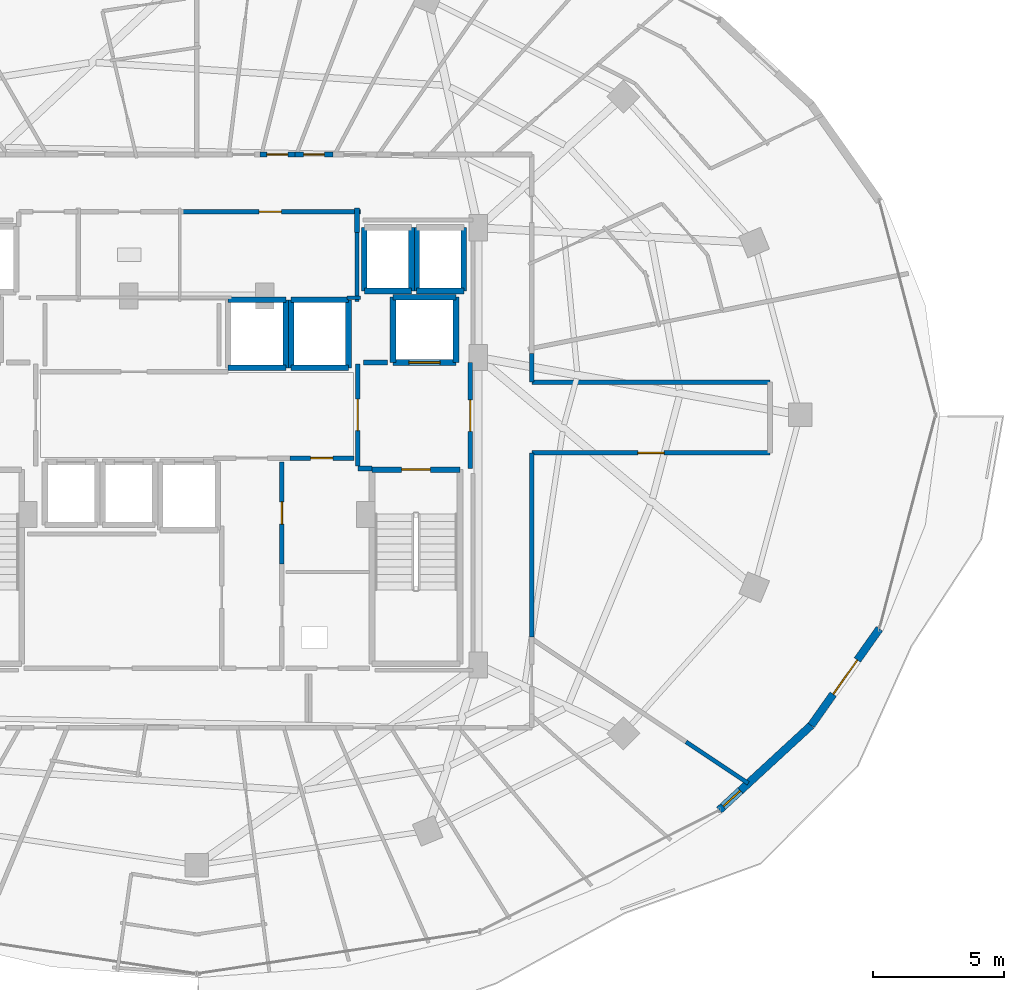
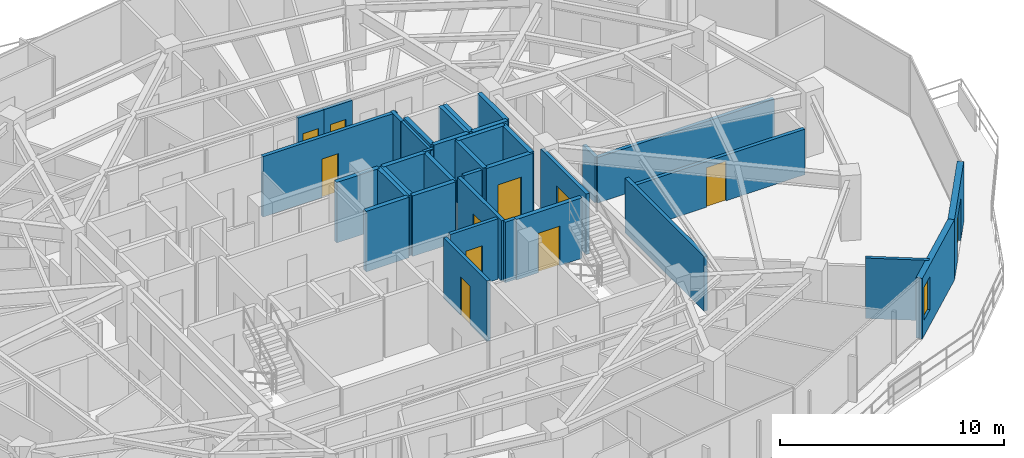
# One storey, part 28 of 34: 37 walls, 11 doors, 1 window, 12 openings.
"""IFC4 building model written with IfcOpenShell, lengths in metres."""

import ifcopenshell
import ifcopenshell.guid

model = None  # the IFC model being written
_history = None  # IfcOwnerHistory: only IFC2X3 demands one
_inside = {}  # id of a spatial element -> (the spatial element, [elements in it])
_under = {}  # id of a project, library or spatial element -> (it, [spatial elements below it])
_declared = {}  # id of a project -> (the project, [libraries it declares])
_typed = {}  # id of a type object -> (the type object, [elements of that type])
_made_of = {}  # id of a material, layer set ... -> (it, [elements and type objects made of it])


def new_model(schema):
    """Start an empty IFC model of exactly this schema.

    Asked for "IFC4X3", IfcOpenShell would pick the latest addendum, in which some entities
    have other attributes; the version numbers below select the first issue.
    IFC2X3 requires an IfcOwnerHistory on every rooted entity: one is made here for all.
    """
    global model, _history
    if schema == "IFC4X3":
        model = ifcopenshell.file(schema_version=(4, 3, 0, 0))
    else:
        model = ifcopenshell.file(schema=schema)
    _inside.clear()
    _under.clear()
    _declared.clear()
    _typed.clear()
    _made_of.clear()
    _history = None
    if model.schema == "IFC2X3":
        org = make("IfcOrganization", Name="unknown")
        user = make(
            "IfcPersonAndOrganization",
            ThePerson=make("IfcPerson", FamilyName="unknown"),
            TheOrganization=org,
        )
        app = make(
            "IfcApplication",
            ApplicationDeveloper=org,
            Version="unknown",
            ApplicationFullName="unknown",
            ApplicationIdentifier="unknown",
        )
        _history = make(
            "IfcOwnerHistory",
            OwningUser=user,
            OwningApplication=app,
            ChangeAction="ADDED",
            CreationDate=0,
        )
    return model


def make(cls, **values):
    """One entity of the class cls with the attributes given. An attribute that is None is left unset."""
    return model.create_entity(
        cls, **{name: value for name, value in values.items() if value is not None}
    )


def rooted(cls, **values):
    """An entity with a GlobalId (a new one), such as an element, a storey or a relation."""
    return make(cls, GlobalId=ifcopenshell.guid.new(), OwnerHistory=_history, **values)


def si_unit(unit_type, name, prefix=None):
    """IfcSIUnit, for example si_unit("LENGTHUNIT", "METRE", prefix="MILLI")."""
    return make("IfcSIUnit", UnitType=unit_type, Prefix=prefix, Name=name)


def assignment(units):
    """IfcUnitAssignment: the units of a project."""
    return None if units is None else make("IfcUnitAssignment", Units=units)


def point(xyz):
    """IfcCartesianPoint."""
    return None if xyz is None else make("IfcCartesianPoint", Coordinates=xyz)


def direction(xyz):
    """IfcDirection."""
    return None if xyz is None else make("IfcDirection", DirectionRatios=xyz)


def frame(location, z_axis=None, x_axis=None):
    """IfcAxis2Placement3D, a coordinate frame: its origin and axes. An axis left out is left unset."""
    return make(
        "IfcAxis2Placement3D",
        Location=point(location),
        Axis=direction(z_axis),
        RefDirection=direction(x_axis),
    )


def frame_2d(location, x_axis=None):
    """IfcAxis2Placement2D, a coordinate frame in the plane: its origin and x axis."""
    return make(
        "IfcAxis2Placement2D", Location=point(location), RefDirection=direction(x_axis)
    )


def origin():
    """The frame at (0, 0, 0) with its axes left unset."""
    return frame((0.0, 0.0, 0.0))


def place(relative_to, where):
    """IfcLocalPlacement: puts the frame where relative to a parent placement (None: the world)."""
    return make(
        "IfcLocalPlacement", PlacementRelTo=relative_to, RelativePlacement=where
    )


def context(
    kind, dimensions, precision=None, world=None, true_north=None, identifier=None
):
    """IfcGeometricRepresentationContext, for example the 3D "Model" context."""
    return make(
        "IfcGeometricRepresentationContext",
        ContextIdentifier=identifier,
        ContextType=kind,
        CoordinateSpaceDimension=dimensions,
        Precision=precision,
        WorldCoordinateSystem=world,
        TrueNorth=true_north,
    )


def subcontext(parent, identifier, kind, view, scale=None):
    """IfcGeometricRepresentationSubContext, for example "Body" below "Model"."""
    return make(
        "IfcGeometricRepresentationSubContext",
        ContextIdentifier=identifier,
        ContextType=kind,
        ParentContext=parent,
        TargetScale=scale,
        TargetView=view,
    )


def project(units=None, contexts=None):
    """IfcProject with its units and contexts."""
    return rooted(
        "IfcProject",
        Name="project",
        RepresentationContexts=contexts,
        UnitsInContext=assignment(units),
    )


def spatial(cls, under=None, at=None, **own):
    """A site, building, storey or space (cls), placed at a placement, below another one or the project."""
    s = rooted(cls, ObjectPlacement=at, **own)
    if under is not None:
        _under.setdefault(under.id(), (under, []))[1].append(s)
    return s


def profile(cls, at=None, kind="AREA", **sizes):
    """A parametric profile (cls). Its sizes go by their IFC names, for example OverallWidth=200.0."""
    return make(cls, ProfileType=kind, Position=at, **sizes)


def rectangle(**sizes):
    """IfcRectangleProfileDef."""
    return profile("IfcRectangleProfileDef", **sizes)


def extrude(swept, where, along, depth):
    """IfcExtrudedAreaSolid: the profile swept, set in the frame where, extruded along a direction by depth."""
    return make(
        "IfcExtrudedAreaSolid",
        SweptArea=swept,
        Position=where,
        ExtrudedDirection=direction(along),
        Depth=depth,
    )


def shape(context_of_items, identifier, shape_type, items):
    """IfcShapeRepresentation: the items that make up one representation, for example the "Body"."""
    return make(
        "IfcShapeRepresentation",
        ContextOfItems=context_of_items,
        RepresentationIdentifier=identifier,
        RepresentationType=shape_type,
        Items=items,
    )


def material(Name=None, Category=None):
    """IfcMaterial."""
    return make("IfcMaterial", Name=Name, Category=Category)


def layer(
    of_material, thickness, ventilated=None, Name=None, Category=None, Priority=None
):
    """IfcMaterialLayer: one layer of a wall or slab, of a material (None: an air gap)."""
    return make(
        "IfcMaterialLayer",
        Material=of_material,
        LayerThickness=thickness,
        IsVentilated=ventilated,
        Name=Name,
        Category=Category,
        Priority=Priority,
    )


def layer_set(layers, Name=None):
    """IfcMaterialLayerSet."""
    return make("IfcMaterialLayerSet", MaterialLayers=layers, LayerSetName=Name)


def made_of(thing, what):
    """Note that an element or type object is made of a material, layer set ...; save() writes the relation."""
    if what is not None:
        _made_of.setdefault(what.id(), (what, []))[1].append(thing)
    return thing


def type_object(cls, material=None, **own):
    """A type object (cls), such as IfcWallType, which elements share."""
    return made_of(rooted(cls, **own), material)


def element(
    cls,
    number,
    at=None,
    inside=None,
    cuts=None,
    type_object=None,
    material=None,
    context=None,
    identifier="Body",
    shape_type=None,
    held_by="IfcProductDefinitionShape",
    body=None,
    shapes=None,
    **own,
):
    """One element of the class cls, such as IfcWall. Its Tag is "e" and its number.

    at: its placement. inside: the storey or other place that contains it. cuts: it is an
    opening in that element (IfcRelVoidsElement). A single representation is given by context,
    identifier, shape_type and body (its items); several are given by shapes. held_by: the class
    of the entity that holds the representations. save() writes the other relations.
    """
    e = rooted(cls, Tag="e%d" % number, ObjectPlacement=at, **own)
    if body is not None:
        shapes = [shape(context, identifier, shape_type, body)]
    if shapes is not None:
        e.Representation = make(held_by, Representations=shapes)
    if inside is not None:
        _inside.setdefault(inside.id(), (inside, []))[1].append(e)
    if cuts is not None:
        rooted(
            "IfcRelVoidsElement", RelatingBuildingElement=cuts, RelatedOpeningElement=e
        )
    if type_object is not None:
        _typed.setdefault(type_object.id(), (type_object, []))[1].append(e)
    return made_of(e, material)


def fill(opening, filler):
    """IfcRelFillsElement: the door or window that sits in an opening."""
    return rooted(
        "IfcRelFillsElement",
        RelatingOpeningElement=opening,
        RelatedBuildingElement=filler,
    )


def aggregate(whole, parts):
    """IfcRelAggregates: a whole, such as a stair, and the parts it consists of."""
    return rooted("IfcRelAggregates", RelatingObject=whole, RelatedObjects=parts)


def save(model, path):
    """Write the relations noted so far, then the file.

    IfcRelAggregates (storeys below a building ...), IfcRelContainedInSpatialStructure (elements
    in a storey), IfcRelDefinesByType, IfcRelAssociatesMaterial and IfcRelDeclares: one each for
    every whole, place, type object, material and project.
    """
    for whole, parts in _under.values():
        aggregate(whole, parts)
    for where, things in _inside.values():
        rooted(
            "IfcRelContainedInSpatialStructure",
            RelatedElements=things,
            RelatingStructure=where,
        )
    for kind, things in _typed.values():
        rooted("IfcRelDefinesByType", RelatedObjects=things, RelatingType=kind)
    for what, things in _made_of.values():
        rooted("IfcRelAssociatesMaterial", RelatedObjects=things, RelatingMaterial=what)
    for by, libraries in _declared.values():
        rooted("IfcRelDeclares", RelatingContext=by, RelatedDefinitions=libraries)
    model.write(path)


model = new_model("IFC4")

# Units and contexts
model_context = context("Model", 3, precision=1e-05, world=origin(), true_north=direction((0.0, 1.0)))
body_context = subcontext(model_context, "Body", "Model", "MODEL_VIEW")
ifc_project = project(units=[si_unit("LENGTHUNIT", "METRE"), si_unit("AREAUNIT", "SQUARE_METRE"), si_unit("VOLUMEUNIT", "CUBIC_METRE"), si_unit("PLANEANGLEUNIT", "RADIAN"), si_unit("MASSUNIT", "GRAM", prefix="KILO")], contexts=[model_context])

# Site, building, storey
site_placement = place(None, origin())
site = spatial("IfcSite", under=ifc_project, at=site_placement, CompositionType="ELEMENT")
building_placement = place(site_placement, origin())
building = spatial("IfcBuilding", under=site, at=building_placement, Name="Vorneva Point Tower", CompositionType="ELEMENT")
storey_placement = place(building_placement, frame((0.0, 0.0, 210.75)))
storey = spatial("IfcBuildingStorey", under=building, at=storey_placement, Name="L57", CompositionType="ELEMENT", Elevation=210.75)

# Wall, opening, door
ifc_material_1 = material(Name="Concrete B60 (C50/60)", Category="concrete")
ifc_layer_1 = layer(ifc_material_1, 0.35009765625)
ifc_layer_set_1 = layer_set([ifc_layer_1], Name="Concrete B60 (C50/60)")
wall_type_1 = type_object("IfcWallType", Name="WL-CORE-350", PredefinedType="SHEAR", material=ifc_layer_set_1)
wall_1_placement = place(storey_placement, frame((45.5, 28.0, 0.0), z_axis=(0.0, 0.0, 1.0), x_axis=(1.0, 0.0, 0.0)))
wall_1 = element("IfcWall", 1, at=wall_1_placement, inside=storey, type_object=wall_type_1, Name="L57 Lift FFL2 Shaft Wall -Y", PredefinedType="SHEAR", context=body_context, shape_type="SweptSolid", body=[
    extrude(rectangle(XDim=2.39990234375, YDim=0.219970703125, at=frame_2d((1.199951171875, 0.0))), origin(), (0.0, 0.0, 1.0), 3.2900390625),
])
opening_1_placement = place(wall_1_placement, frame((0.60009765625, 0.0, 0.0)))
opening_1 = element("IfcOpeningElement", 2, at=opening_1_placement, cuts=wall_1, Name="Opening LD-02", PredefinedType="OPENING", context=body_context, shape_type="SweptSolid", body=[
    extrude(rectangle(XDim=1.199951171875, YDim=2.199951171875, at=frame_2d((0.60009765625, 1.10009765625))), frame((0.0, 0.125, 0.0), z_axis=(0.0, -1.0, 0.0), x_axis=(1.0, 0.0, 0.0)), (0.0, 0.0, 1.0), 0.249755859375),
])
ifc_material_2 = material(Name="Brushed stainless steel S304", Category="steel")
door_type_1 = type_object("IfcDoorType", Name="LD-FIRE-1200", OperationType="SLIDING_TO_LEFT", PredefinedType="DOOR", material=ifc_material_2)
door_1_placement = place(opening_1_placement, origin())
door_1 = element("IfcDoor", 3, at=door_1_placement, inside=storey, type_object=door_type_1, Name="L57 Lift FFL2 Sliding Landing Door", OperationType="SLIDING_TO_LEFT", OverallHeight=2.199951171875, OverallWidth=1.199951171875, PredefinedType="DOOR", context=body_context, shape_type="SweptSolid", body=[
    extrude(rectangle(XDim=1.199951171875, YDim=2.199951171875, at=frame_2d((0.60009765625, 1.10009765625))), frame((0.0, 0.02490234375, 0.0), z_axis=(0.0, -1.0, 0.0), x_axis=(1.0, 0.0, 0.0)), (0.0, 0.0, 1.0), 0.050048828125),
])
fill(opening_1, door_1)

# Walls
wall_2_placement = place(storey_placement, frame((47.89990234375, 28.0, 0.0), z_axis=(0.0, 0.0, 1.0), x_axis=(0.0, 1.0, 0.0)))
element("IfcWall", 4, at=wall_2_placement, inside=storey, type_object=wall_type_1, Name="L57 Lift FFL2 Shaft Wall +X", PredefinedType="SHEAR", context=body_context, shape_type="SweptSolid", body=[
    extrude(rectangle(XDim=2.5, YDim=0.219970703125, at=frame_2d((1.25, 0.0))), origin(), (0.0, 0.0, 1.0), 3.2900390625),
])
wall_3_placement = place(storey_placement, frame((47.89990234375, 30.5, 0.0), z_axis=(0.0, 0.0, 1.0), x_axis=(-1.0, 0.0, 0.0)))
element("IfcWall", 5, at=wall_3_placement, inside=storey, type_object=wall_type_1, Name="L57 Lift FFL2 Shaft Wall +Y", PredefinedType="SHEAR", context=body_context, shape_type="SweptSolid", body=[
    extrude(rectangle(XDim=2.39990234375, YDim=0.219970703125, at=frame_2d((1.199951171875, 0.0))), origin(), (0.0, 0.0, 1.0), 3.2900390625),
])
wall_4_placement = place(storey_placement, frame((45.5, 30.5, 0.0), z_axis=(0.0, 0.0, 1.0), x_axis=(0.0, -1.0, 0.0)))
element("IfcWall", 6, at=wall_4_placement, inside=storey, type_object=wall_type_1, Name="L57 Lift FFL2 Shaft Wall -X", PredefinedType="SHEAR", context=body_context, shape_type="SweptSolid", body=[
    extrude(rectangle(XDim=2.5, YDim=0.219970703125, at=frame_2d((1.25, 0.0))), origin(), (0.0, 0.0, 1.0), 3.2900390625),
])

# Wall, opening, window
ifc_material_3 = material(Name="Precast concrete B50 (C40/50)", Category="concrete")
ifc_layer_2 = layer(ifc_material_3, 0.300048828125)
ifc_layer_set_2 = layer_set([ifc_layer_2], Name="Precast concrete B50 (C40/50)")
wall_type_2 = type_object("IfcWallType", Name="WL-EXT-300", PredefinedType="STANDARD", material=ifc_layer_set_2)
wall_5_placement = place(storey_placement, frame((57.961669921875, 10.9033203125, 0.0), z_axis=(0.0, 0.0, 1.0), x_axis=(0.735359993374, 0.677676678177, 0.0)))
wall_5 = element("IfcWall", 7, at=wall_5_placement, inside=storey, type_object=wall_type_2, Name="L57 Pale-Metal Facade Spandrel Wall 15.1", PredefinedType="STANDARD", context=body_context, shape_type="SweptSolid", body=[
    extrude(rectangle(XDim=4.774169921875, YDim=0.300048828125, at=frame_2d((2.38720703125, 0.0))), origin(), (0.0, 0.0, 1.0), 3.2900390625),
])
opening_2_placement = place(wall_5_placement, frame((0.199951171875, 0.0, 0.85009765625)))
opening_2 = element("IfcOpeningElement", 8, at=opening_2_placement, cuts=wall_5, Name="Opening W-08", PredefinedType="OPENING", context=body_context, shape_type="SweptSolid", body=[
    extrude(rectangle(XDim=0.89990234375, YDim=1.800048828125, at=frame_2d((0.449951171875, 0.89990234375))), frame((0.0, 0.1650390625, 0.0), z_axis=(0.0, -1.0, 0.0), x_axis=(1.0, 0.0, 0.0)), (0.0, 0.0, 1.0), 0.329833984375),
])
ifc_material_4 = material(Name="Double low-e laminated glass IGU", Category="glass")
window_type = type_object("IfcWindowType", Name="WN-CAS-900", PartitioningType="SINGLE_PANEL", PredefinedType="WINDOW", material=ifc_material_4)
window_placement = place(opening_2_placement, origin())
window = element("IfcWindow", 9, at=window_placement, inside=storey, type_object=window_type, Name="L57 Dwelling Vision Window 05", OverallHeight=1.800048828125, OverallWidth=0.89990234375, PartitioningType="SINGLE_PANEL", PredefinedType="WINDOW", context=body_context, shape_type="SweptSolid", body=[
    extrude(rectangle(XDim=0.89990234375, YDim=1.800048828125, at=frame_2d((0.449951171875, 0.89990234375))), frame((0.0, 0.030029296875, 0.0), z_axis=(0.0, -1.0, 0.0), x_axis=(1.0, 0.0, 0.0)), (0.0, 0.0, 1.0), 0.06005859375),
])
fill(opening_2, window)

# Wall, opening, door
wall_6_placement = place(storey_placement, frame((61.472412109375, 14.138671875, 0.0), z_axis=(0.0, 0.0, 1.0), x_axis=(0.577168747264, 0.81662490605, 0.0)))
wall_6 = element("IfcWall", 10, at=wall_6_placement, inside=storey, type_object=wall_type_2, Name="L57 Pale-Metal Facade Spandrel Wall 15.2", PredefinedType="STANDARD", context=body_context, shape_type="SweptSolid", body=[
    extrude(rectangle(XDim=4.519775390625, YDim=0.300048828125, at=frame_2d((2.259765625, 0.0))), origin(), (0.0, 0.0, 1.0), 3.2900390625),
])
opening_3_placement = place(wall_6_placement, frame((1.4599609375, 0.0, 0.0)))
opening_3 = element("IfcOpeningElement", 11, at=opening_3_placement, cuts=wall_6, Name="Opening BD-01", PredefinedType="OPENING", context=body_context, shape_type="SweptSolid", body=[
    extrude(rectangle(XDim=1.60009765625, YDim=2.300048828125, at=frame_2d((0.800048828125, 1.14990234375))), frame((0.0, 0.1650390625, 0.0), z_axis=(0.0, -1.0, 0.0), x_axis=(1.0, 0.0, 0.0)), (0.0, 0.0, 1.0), 0.329833984375),
])
ifc_material_5 = material(Name="Pale anodised aluminium", Category="aluminium")
door_type_2 = type_object("IfcDoorType", Name="DR-BAL-1600", OperationType="SLIDING_TO_LEFT", PredefinedType="DOOR", material=ifc_material_5)
door_2_placement = place(opening_3_placement, origin())
door_2 = element("IfcDoor", 12, at=door_2_placement, inside=storey, type_object=door_type_2, Name="L57 Balcony Terrace Access Door 15", OperationType="SLIDING_TO_LEFT", OverallHeight=2.300048828125, OverallWidth=1.60009765625, PredefinedType="DOOR", context=body_context, shape_type="SweptSolid", body=[
    extrude(rectangle(XDim=1.60009765625, YDim=2.300048828125, at=frame_2d((0.800048828125, 1.14990234375))), frame((0.0, 0.02490234375, 0.0), z_axis=(0.0, -1.0, 0.0), x_axis=(1.0, 0.0, 0.0)), (0.0, 0.0, 1.0), 0.050048828125),
])
fill(opening_3, door_2)

# Walls
ifc_material_6 = material(Name="Fire-rated acoustic gypsum stud partition", Category="gypsum")
ifc_layer_3 = layer(ifc_material_6, 0.139892578125)
ifc_layer_set_3 = layer_set([ifc_layer_3], Name="Fire-rated acoustic gypsum stud partition")
wall_type_3 = type_object("IfcWallType", Name="WL-PART-140", PredefinedType="PARTITIONING", material=ifc_layer_set_3)
wall_7_placement = place(storey_placement, frame((43.735107421875, 30.47998046875, 0.0), z_axis=(0.0, 0.0, 1.0), x_axis=(1.0, 0.0, 0.0)))
element("IfcWall", 13, at=wall_7_placement, inside=storey, type_object=wall_type_3, Name="L57 Interior Closure Partition 167", PredefinedType="PARTITIONING", context=body_context, shape_type="SweptSolid", body=[
    extrude(rectangle(XDim=0.52490234375, YDim=0.139892578125, at=frame_2d((0.262451171875, 0.0))), origin(), (0.0, 0.0, 1.0), 3.2900390625),
])
wall_8_placement = place(storey_placement, frame((44.1201171875, 30.340087890625, 0.0), z_axis=(0.0, 0.0, 1.0), x_axis=(0.0, 1.0, 0.0)))
element("IfcWall", 14, at=wall_8_placement, inside=storey, type_object=wall_type_3, Name="L57 Interior Closure Partition 168", PredefinedType="PARTITIONING", context=body_context, shape_type="SweptSolid", body=[
    extrude(rectangle(XDim=2.659912109375, YDim=0.139892578125, at=frame_2d((1.330078125, 0.0))), origin(), (0.0, 0.0, 1.0), 3.2900390625),
])
ifc_layer_4 = layer(ifc_material_6, 0.159912109375)
ifc_layer_set_4 = layer_set([ifc_layer_4], Name="Fire-rated acoustic gypsum stud partition")
wall_type_4 = type_object("IfcWallType", Name="WL-PART-160", PredefinedType="PARTITIONING", material=ifc_layer_set_4)
wall_9_placement = place(storey_placement, frame((59.06689453125, 11.924072265625, 0.0), z_axis=(0.0, 0.0, 1.0), x_axis=(-0.831602270354, 0.555371644885, 0.0)))
element("IfcWall", 15, at=wall_9_placement, inside=storey, type_object=wall_type_4, Name="L57 Interior Partition 163", PredefinedType="PARTITIONING", context=body_context, shape_type="SweptSolid", body=[
    extrude(rectangle(XDim=2.85205078125, YDim=0.159912109375, at=frame_2d((1.426025390625, 0.0))), origin(), (0.0, 0.0, 1.0), 3.2900390625),
])

# Wall, opening, door
ifc_material_7 = material(Name="Autoclaved aerated concrete blockwork", Category="masonry")
ifc_layer_5 = layer(ifc_material_7, 0.179931640625)
ifc_layer_set_5 = layer_set([ifc_layer_5], Name="Autoclaved aerated concrete blockwork")
wall_type_5 = type_object("IfcWallType", Name="WL-PART-180", PredefinedType="PARTITIONING", material=ifc_layer_set_5)
wall_10_placement = place(storey_placement, frame((44.14990234375, 27.955078125, 0.0), z_axis=(0.0, 0.0, 1.0), x_axis=(0.0, -1.0, 0.0)))
wall_10 = element("IfcWall", 16, at=wall_10_placement, inside=storey, type_object=wall_type_5, Name="L57 Interior Partition 003", PredefinedType="PARTITIONING", context=body_context, shape_type="SweptSolid", body=[
    extrude(rectangle(XDim=3.91015625, YDim=0.179931640625, at=frame_2d((1.955078125, 0.0))), origin(), (0.0, 0.0, 1.0), 3.2900390625),
])
opening_4_placement = place(wall_10_placement, frame((1.35498046875, 0.0, 0.0)))
opening_4 = element("IfcOpeningElement", 17, at=opening_4_placement, cuts=wall_10, Name="Opening FD-02", PredefinedType="OPENING", context=body_context, shape_type="SweptSolid", body=[
    extrude(rectangle(XDim=1.199951171875, YDim=2.14990234375, at=frame_2d((0.60009765625, 1.074951171875))), frame((0.0, 0.10498046875, 0.0), z_axis=(0.0, -1.0, 0.0), x_axis=(1.0, 0.0, 0.0)), (0.0, 0.0, 1.0), 0.209716796875),
])
ifc_material_8 = material(Name="Fire-rated powder-coated steel", Category="steel")
door_type_3 = type_object("IfcDoorType", Name="DR-FFL-1200", OperationType="NOTDEFINED", PredefinedType="DOOR", material=ifc_material_8)
door_3_placement = place(opening_4_placement, origin())
door_3 = element("IfcDoor", 18, at=door_3_placement, inside=storey, type_object=door_type_3, Name="L57 Door East Firefighting Lobby / Central Lift Lobby", OperationType="SINGLE_SWING_LEFT", OverallHeight=2.14990234375, OverallWidth=1.199951171875, PredefinedType="DOOR", context=body_context, shape_type="SweptSolid", body=[
    extrude(rectangle(XDim=1.199951171875, YDim=2.14990234375, at=frame_2d((0.60009765625, 1.074951171875))), frame((0.0, 0.02490234375, 0.0), z_axis=(0.0, -1.0, 0.0), x_axis=(1.0, 0.0, 0.0)), (0.0, 0.0, 1.0), 0.050048828125),
])
fill(opening_4, door_3)

# Wall
wall_11_placement = place(storey_placement, frame((44.14990234375, 23.949951171875, 0.0), z_axis=(0.0, 0.0, 1.0), x_axis=(1.0, 0.0, 0.0)))
element("IfcWall", 19, at=wall_11_placement, inside=storey, type_object=wall_type_5, Name="L57 Interior Partition 004", PredefinedType="PARTITIONING", context=body_context, shape_type="SweptSolid", body=[
    extrude(rectangle(XDim=0.5400390625, YDim=0.179931640625, at=frame_2d((0.27001953125, 0.0))), origin(), (0.0, 0.0, 1.0), 3.2900390625),
])

# Wall, opening, door
wall_12_placement = place(storey_placement, frame((48.449951171875, 23.949951171875, 0.0), z_axis=(0.0, 0.0, 1.0), x_axis=(0.0, 1.0, 0.0)))
wall_12 = element("IfcWall", 20, at=wall_12_placement, inside=storey, type_object=wall_type_5, Name="L57 Interior Partition 005", PredefinedType="PARTITIONING", context=body_context, shape_type="SweptSolid", body=[
    extrude(rectangle(XDim=4.050048828125, YDim=0.179931640625, at=frame_2d((2.02490234375, 0.0))), origin(), (0.0, 0.0, 1.0), 3.2900390625),
])
opening_5_placement = place(wall_12_placement, frame((1.425048828125, 0.0, 0.0)))
opening_5 = element("IfcOpeningElement", 21, at=opening_5_placement, cuts=wall_12, Name="Opening FD-02", PredefinedType="OPENING", context=body_context, shape_type="SweptSolid", body=[
    extrude(rectangle(XDim=1.199951171875, YDim=2.14990234375, at=frame_2d((0.60009765625, 1.074951171875))), frame((0.0, 0.10498046875, 0.0), z_axis=(0.0, -1.0, 0.0), x_axis=(1.0, 0.0, 0.0)), (0.0, 0.0, 1.0), 0.209716796875),
])
door_4_placement = place(opening_5_placement, origin())
door_4 = element("IfcDoor", 22, at=door_4_placement, inside=storey, type_object=door_type_3, Name="L57 Door East Firefighting Lobby / L57 Circulation Corridor", OperationType="SINGLE_SWING_LEFT", OverallHeight=2.14990234375, OverallWidth=1.199951171875, PredefinedType="DOOR", context=body_context, shape_type="SweptSolid", body=[
    extrude(rectangle(XDim=1.199951171875, YDim=2.14990234375, at=frame_2d((0.60009765625, 1.074951171875))), frame((0.0, 0.02490234375, 0.0), z_axis=(0.0, -1.0, 0.0), x_axis=(1.0, 0.0, 0.0)), (0.0, 0.0, 1.0), 0.050048828125),
])
fill(opening_5, door_4)

wall_13_placement = place(storey_placement, frame((41.554931640625, 24.35009765625, 0.0), z_axis=(0.0, 0.0, 1.0), x_axis=(1.0, 0.0, 0.0)))
wall_13 = element("IfcWall", 23, at=wall_13_placement, inside=storey, type_object=wall_type_5, Name="L57 Interior Partition 011", PredefinedType="PARTITIONING", context=body_context, shape_type="SweptSolid", body=[
    extrude(rectangle(XDim=2.445068359375, YDim=0.179931640625, at=frame_2d((1.22265625, 0.0))), origin(), (0.0, 0.0, 1.0), 3.2900390625),
])
opening_6_placement = place(wall_13_placement, frame((0.797607421875, 0.0, 0.0)))
opening_6 = element("IfcOpeningElement", 24, at=opening_6_placement, cuts=wall_13, Name="Opening ID-02", PredefinedType="OPENING", context=body_context, shape_type="SweptSolid", body=[
    extrude(rectangle(XDim=0.85009765625, YDim=2.10009765625, at=frame_2d((0.425048828125, 1.050048828125))), frame((0.0, 0.10498046875, 0.0), z_axis=(0.0, -1.0, 0.0), x_axis=(1.0, 0.0, 0.0)), (0.0, 0.0, 1.0), 0.209716796875),
])
ifc_material_9 = material(Name="Engineered oak fire-rated door leaf", Category="wood")
door_type_4 = type_object("IfcDoorType", Name="DR-BATH-850", OperationType="NOTDEFINED", PredefinedType="DOOR", material=ifc_material_9)
door_5_placement = place(opening_6_placement, origin())
door_5 = element("IfcDoor", 25, at=door_5_placement, inside=storey, type_object=door_type_4, Name="L57 Door Central Lift Lobby / Cleaners Store", OperationType="SINGLE_SWING_LEFT", OverallHeight=2.10009765625, OverallWidth=0.85009765625, PredefinedType="DOOR", context=body_context, shape_type="SweptSolid", body=[
    extrude(rectangle(XDim=0.85009765625, YDim=2.10009765625, at=frame_2d((0.425048828125, 1.050048828125))), frame((0.0, 0.02490234375, 0.0), z_axis=(0.0, -1.0, 0.0), x_axis=(1.0, 0.0, 0.0)), (0.0, 0.0, 1.0), 0.050048828125),
])
fill(opening_6, door_5)

wall_14_placement = place(storey_placement, frame((41.25, 20.304931640625, 0.0), z_axis=(0.0, 0.0, 1.0), x_axis=(0.0, 1.0, 0.0)))
wall_14 = element("IfcWall", 26, at=wall_14_placement, inside=storey, type_object=wall_type_5, Name="L57 Interior Partition 014", PredefinedType="PARTITIONING", context=body_context, shape_type="SweptSolid", body=[
    extrude(rectangle(XDim=3.89501953125, YDim=0.179931640625, at=frame_2d((1.947509765625, 0.0))), origin(), (0.0, 0.0, 1.0), 3.2900390625),
])
opening_7_placement = place(wall_14_placement, frame((1.5224609375, 0.0, 0.0)))
opening_7 = element("IfcOpeningElement", 27, at=opening_7_placement, cuts=wall_14, Name="Opening ID-02", PredefinedType="OPENING", context=body_context, shape_type="SweptSolid", body=[
    extrude(rectangle(XDim=0.85009765625, YDim=2.10009765625, at=frame_2d((0.425048828125, 1.050048828125))), frame((0.0, 0.10498046875, 0.0), z_axis=(0.0, -1.0, 0.0), x_axis=(1.0, 0.0, 0.0)), (0.0, 0.0, 1.0), 0.209716796875),
])
door_6_placement = place(opening_7_placement, origin())
door_6 = element("IfcDoor", 28, at=door_6_placement, inside=storey, type_object=door_type_4, Name="L57 Door Core Service Lobby / Cleaners Store", OperationType="SINGLE_SWING_RIGHT", OverallHeight=2.10009765625, OverallWidth=0.85009765625, PredefinedType="DOOR", context=body_context, shape_type="SweptSolid", body=[
    extrude(rectangle(XDim=0.85009765625, YDim=2.10009765625, at=frame_2d((0.425048828125, 1.050048828125))), frame((0.0, 0.02490234375, 0.0), z_axis=(0.0, -1.0, 0.0), x_axis=(1.0, 0.0, 0.0)), (0.0, 0.0, 1.0), 0.050048828125),
])
fill(opening_7, door_6)

wall_15_placement = place(storey_placement, frame((44.260009765625, 33.760009765625, 0.0), z_axis=(0.0, 0.0, 1.0), x_axis=(-1.0, 0.0, 0.0)))
wall_15 = element("IfcWall", 29, at=wall_15_placement, inside=storey, type_object=wall_type_5, Name="L57 Interior Partition 023", PredefinedType="PARTITIONING", context=body_context, shape_type="SweptSolid", body=[
    extrude(rectangle(XDim=6.909912109375, YDim=0.179931640625, at=frame_2d((3.455078125, 0.0))), origin(), (0.0, 0.0, 1.0), 3.2900390625),
])
opening_8_placement = place(wall_15_placement, frame((3.030029296875, 0.0, 0.0)))
opening_8 = element("IfcOpeningElement", 30, at=opening_8_placement, cuts=wall_15, Name="Opening ID-02", PredefinedType="OPENING", context=body_context, shape_type="SweptSolid", body=[
    extrude(rectangle(XDim=0.85009765625, YDim=2.10009765625, at=frame_2d((0.425048828125, 1.050048828125))), frame((0.0, 0.10498046875, 0.0), z_axis=(0.0, -1.0, 0.0), x_axis=(1.0, 0.0, 0.0)), (0.0, 0.0, 1.0), 0.209716796875),
])
door_7_placement = place(opening_8_placement, origin())
door_7 = element("IfcDoor", 31, at=door_7_placement, inside=storey, type_object=door_type_4, Name="L57 Door Public Restroom / L57 Circulation Corridor", OperationType="SINGLE_SWING_LEFT", OverallHeight=2.10009765625, OverallWidth=0.85009765625, PredefinedType="DOOR", context=body_context, shape_type="SweptSolid", body=[
    extrude(rectangle(XDim=0.85009765625, YDim=2.10009765625, at=frame_2d((0.425048828125, 1.050048828125))), frame((0.0, 0.02490234375, 0.0), z_axis=(0.0, -1.0, 0.0), x_axis=(1.0, 0.0, 0.0)), (0.0, 0.0, 1.0), 0.050048828125),
])
fill(opening_8, door_7)

# Wall
wall_16_placement = place(storey_placement, frame((44.1201171875, 32.969970703125, 0.0), z_axis=(0.0, 0.0, 1.0), x_axis=(0.0, 1.0, 0.0)))
element("IfcWall", 32, at=wall_16_placement, inside=storey, type_object=wall_type_5, Name="L57 Interior Partition 024", PredefinedType="PARTITIONING", context=body_context, shape_type="SweptSolid", body=[
    extrude(rectangle(XDim=0.929931640625, YDim=0.179931640625, at=frame_2d((0.46484375, 0.0))), origin(), (0.0, 0.0, 1.0), 3.2900390625),
])

# Wall, opening, door
wall_17_placement = place(storey_placement, frame((43.2080078125, 35.949951171875, 0.0), z_axis=(0.0, 0.0, 1.0), x_axis=(-1.0, 0.0, 0.0)))
wall_17 = element("IfcWall", 33, at=wall_17_placement, inside=storey, type_object=wall_type_5, Name="L57 Interior Partition 032", PredefinedType="PARTITIONING", context=body_context, shape_type="SweptSolid", body=[
    extrude(rectangle(XDim=1.462890625, YDim=0.179931640625, at=frame_2d((0.7314453125, 0.0))), origin(), (0.0, 0.0, 1.0), 2.97900390625),
])
opening_9_placement = place(wall_17_placement, frame((0.33154296875, 0.0, 0.0)))
opening_9 = element("IfcOpeningElement", 34, at=opening_9_placement, cuts=wall_17, Name="Opening RD-01", PredefinedType="OPENING", context=body_context, shape_type="SweptSolid", body=[
    extrude(rectangle(XDim=0.800048828125, YDim=2.050048828125, at=frame_2d((0.39990234375, 1.02490234375))), frame((0.0, 0.10498046875, 0.0), z_axis=(0.0, -1.0, 0.0), x_axis=(1.0, 0.0, 0.0)), (0.0, 0.0, 1.0), 0.209716796875),
])
door_type_5 = type_object("IfcDoorType", Name="DR-RSR-800", OperationType="SINGLE_SWING_LEFT", PredefinedType="DOOR", material=ifc_material_8)
door_8_placement = place(opening_9_placement, origin())
door_8 = element("IfcDoor", 35, at=door_8_placement, inside=storey, type_object=door_type_5, Name="L57 Access Door L57 Circulation Corridor", OperationType="SINGLE_SWING_LEFT", OverallHeight=2.050048828125, OverallWidth=0.800048828125, PredefinedType="DOOR", context=body_context, shape_type="SweptSolid", body=[
    extrude(rectangle(XDim=0.800048828125, YDim=2.050048828125, at=frame_2d((0.39990234375, 1.02490234375))), frame((0.0, 0.02490234375, 0.0), z_axis=(0.0, -1.0, 0.0), x_axis=(1.0, 0.0, 0.0)), (0.0, 0.0, 1.0), 0.050048828125),
])
fill(opening_9, door_8)

wall_18_placement = place(storey_placement, frame((41.7451171875, 35.949951171875, 0.0), z_axis=(0.0, 0.0, 1.0), x_axis=(-1.0, 0.0, 0.0)))
wall_18 = element("IfcWall", 36, at=wall_18_placement, inside=storey, type_object=wall_type_5, Name="L57 Interior Partition 033", PredefinedType="PARTITIONING", context=body_context, shape_type="SweptSolid", body=[
    extrude(rectangle(XDim=1.3330078125, YDim=0.179931640625, at=frame_2d((0.66650390625, 0.0))), origin(), (0.0, 0.0, 1.0), 2.97900390625),
])
opening_10_placement = place(wall_18_placement, frame((0.2666015625, 0.0, 0.0)))
opening_10 = element("IfcOpeningElement", 37, at=opening_10_placement, cuts=wall_18, Name="Opening RD-01", PredefinedType="OPENING", context=body_context, shape_type="SweptSolid", body=[
    extrude(rectangle(XDim=0.800048828125, YDim=2.050048828125, at=frame_2d((0.39990234375, 1.02490234375))), frame((0.0, 0.10498046875, 0.0), z_axis=(0.0, -1.0, 0.0), x_axis=(1.0, 0.0, 0.0)), (0.0, 0.0, 1.0), 0.209716796875),
])
door_9_placement = place(opening_10_placement, origin())
door_9 = element("IfcDoor", 38, at=door_9_placement, inside=storey, type_object=door_type_5, Name="L57 Access Door L57 Circulation Corridor", OperationType="SINGLE_SWING_LEFT", OverallHeight=2.050048828125, OverallWidth=0.800048828125, PredefinedType="DOOR", context=body_context, shape_type="SweptSolid", body=[
    extrude(rectangle(XDim=0.800048828125, YDim=2.050048828125, at=frame_2d((0.39990234375, 1.02490234375))), frame((0.0, 0.02490234375, 0.0), z_axis=(0.0, -1.0, 0.0), x_axis=(1.0, 0.0, 0.0)), (0.0, 0.0, 1.0), 0.050048828125),
])
fill(opening_10, door_9)

# Wall
wall_19_placement = place(storey_placement, frame((50.800048828125, 17.507080078125, 0.0), z_axis=(0.0, 0.0, 1.0), x_axis=(0.0, 1.0, 0.0)))
element("IfcWall", 39, at=wall_19_placement, inside=storey, type_object=wall_type_5, Name="L57 Interior Partition 071", PredefinedType="PARTITIONING", context=body_context, shape_type="SweptSolid", body=[
    extrude(rectangle(XDim=7.04296875, YDim=0.179931640625, at=frame_2d((3.521484375, 0.0))), origin(), (0.0, 0.0, 1.0), 2.97900390625),
])

# Wall, opening, door
wall_20_placement = place(storey_placement, frame((50.800048828125, 24.550048828125, 0.0), z_axis=(0.0, 0.0, 1.0), x_axis=(1.0, 0.0, 0.0)))
wall_20 = element("IfcWall", 40, at=wall_20_placement, inside=storey, type_object=wall_type_5, Name="L57 Interior Partition 072", PredefinedType="PARTITIONING", context=body_context, shape_type="SweptSolid", body=[
    extrude(rectangle(XDim=9.099853515625, YDim=0.179931640625, at=frame_2d((4.5498046875, 0.0))), origin(), (0.0, 0.0, 1.0), 2.48193359375),
])
opening_11_placement = place(wall_20_placement, frame((4.050048828125, 0.0, 0.0)))
opening_11 = element("IfcOpeningElement", 41, at=opening_11_placement, cuts=wall_20, Name="Opening UD-01", PredefinedType="OPENING", context=body_context, shape_type="SweptSolid", body=[
    extrude(rectangle(XDim=1.0, YDim=2.14990234375, at=frame_2d((0.5, 1.074951171875))), frame((0.0, 0.10498046875, 0.0), z_axis=(0.0, -1.0, 0.0), x_axis=(1.0, 0.0, 0.0)), (0.0, 0.0, 1.0), 0.209716796875),
])
door_type_6 = type_object("IfcDoorType", Name="DR-UNIT-1000", OperationType="NOTDEFINED", PredefinedType="DOOR", material=ifc_material_9)
door_10_placement = place(opening_11_placement, origin())
door_10 = element("IfcDoor", 42, at=door_10_placement, inside=storey, type_object=door_type_6, Name="L57 Door L57 Circulation Corridor / Residents Fitness Studio L57-05", OperationType="SINGLE_SWING_RIGHT", OverallHeight=2.14990234375, OverallWidth=1.0, PredefinedType="DOOR", context=body_context, shape_type="SweptSolid", body=[
    extrude(rectangle(XDim=1.0, YDim=2.14990234375, at=frame_2d((0.5, 1.074951171875))), frame((0.0, 0.02490234375, 0.0), z_axis=(0.0, -1.0, 0.0), x_axis=(1.0, 0.0, 0.0)), (0.0, 0.0, 1.0), 0.050048828125),
])
fill(opening_11, door_10)

# Walls
wall_21_placement = place(storey_placement, frame((59.89990234375, 27.25, 0.0), z_axis=(0.0, 0.0, 1.0), x_axis=(-1.0, 0.0, 0.0)))
element("IfcWall", 43, at=wall_21_placement, inside=storey, type_object=wall_type_5, Name="L57 Interior Partition 074", PredefinedType="PARTITIONING", context=body_context, shape_type="SweptSolid", body=[
    extrude(rectangle(XDim=9.099853515625, YDim=0.179931640625, at=frame_2d((4.5498046875, 0.0))), origin(), (0.0, 0.0, 1.0), 2.48193359375),
])
wall_22_placement = place(storey_placement, frame((50.800048828125, 27.25, 0.0), z_axis=(0.0, 0.0, 1.0), x_axis=(0.0, 1.0, 0.0)))
element("IfcWall", 44, at=wall_22_placement, inside=storey, type_object=wall_type_5, Name="L57 Interior Partition 075", PredefinedType="PARTITIONING", context=body_context, shape_type="SweptSolid", body=[
    extrude(rectangle(XDim=1.095947265625, YDim=0.179931640625, at=frame_2d((0.5478515625, 0.0))), origin(), (0.0, 0.0, 1.0), 2.48193359375),
])
wall_23_placement = place(storey_placement, frame((45.280029296875, 28.0, 0.0), z_axis=(0.0, 0.0, 1.0), x_axis=(-1.0, 0.0, 0.0)))
element("IfcWall", 45, at=wall_23_placement, inside=storey, type_object=wall_type_5, Name="L57 Interior Closure Partition 165", PredefinedType="PARTITIONING", context=body_context, shape_type="SweptSolid", body=[
    extrude(rectangle(XDim=0.9150390625, YDim=0.179931640625, at=frame_2d((0.45751953125, 0.0))), origin(), (0.0, 0.0, 1.0), 3.2900390625),
])

# Wall, opening, door
ifc_material_10 = material(Name="Concrete B50 (C40/50)", Category="concrete")
ifc_layer_6 = layer(ifc_material_10, 0.219970703125)
ifc_layer_set_6 = layer_set([ifc_layer_6], Name="Concrete B50 (C40/50)")
wall_type_6 = type_object("IfcWallType", Name="WL-SHFT-220", PredefinedType="SOLIDWALL", material=ifc_layer_set_6)
wall_24_placement = place(storey_placement, frame((44.68994140625, 23.909912109375, 0.0), z_axis=(0.0, 0.0, 1.0), x_axis=(1.0, 0.0, 0.0)))
wall_24 = element("IfcWall", 46, at=wall_24_placement, inside=storey, type_object=wall_type_6, Name="L57 Exit Stair ST2 Shaft Wall near", PredefinedType="SOLIDWALL", context=body_context, shape_type="SweptSolid", body=[
    extrude(rectangle(XDim=3.3701171875, YDim=0.219970703125, at=frame_2d((1.68505859375, 0.0))), origin(), (0.0, 0.0, 1.0), 3.2900390625),
])
opening_12_placement = place(wall_24_placement, frame((1.135009765625, 0.0, 0.0)))
opening_12 = element("IfcOpeningElement", 47, at=opening_12_placement, cuts=wall_24, Name="Opening FD-01", PredefinedType="OPENING", context=body_context, shape_type="SweptSolid", body=[
    extrude(rectangle(XDim=1.10009765625, YDim=2.14990234375, at=frame_2d((0.550048828125, 1.074951171875))), frame((0.0, 0.125, 0.0), z_axis=(0.0, -1.0, 0.0), x_axis=(1.0, 0.0, 0.0)), (0.0, 0.0, 1.0), 0.249755859375),
])
door_type_7 = type_object("IfcDoorType", Name="DR-STAIR-1100", OperationType="NOTDEFINED", PredefinedType="DOOR", material=ifc_material_8)
door_11_placement = place(opening_12_placement, origin())
door_11 = element("IfcDoor", 48, at=door_11_placement, inside=storey, type_object=door_type_7, Name="L57 Exit Stair ST2 Fire Door", OperationType="SINGLE_SWING_RIGHT", OverallHeight=2.14990234375, OverallWidth=1.10009765625, PredefinedType="DOOR", context=body_context, shape_type="SweptSolid", body=[
    extrude(rectangle(XDim=1.10009765625, YDim=2.14990234375, at=frame_2d((0.550048828125, 1.074951171875))), frame((0.0, 0.02490234375, 0.0), z_axis=(0.0, -1.0, 0.0), x_axis=(1.0, 0.0, 0.0)), (0.0, 0.0, 1.0), 0.050048828125),
])
fill(opening_12, door_11)

# Walls
wall_25_placement = place(storey_placement, frame((39.199951171875, 27.800048828125, 0.0), z_axis=(0.0, 0.0, 1.0), x_axis=(1.0, 0.0, 0.0)))
element("IfcWall", 49, at=wall_25_placement, inside=storey, type_object=wall_type_6, Name="L57 Lift PL7 Shaft Wall -Y", PredefinedType="SOLIDWALL", context=body_context, shape_type="SweptSolid", body=[
    extrude(rectangle(XDim=2.199951171875, YDim=0.219970703125, at=frame_2d((1.10009765625, 0.0))), origin(), (0.0, 0.0, 1.0), 3.2900390625),
])
wall_26_placement = place(storey_placement, frame((41.39990234375, 27.800048828125, 0.0), z_axis=(0.0, 0.0, 1.0), x_axis=(0.0, 1.0, 0.0)))
element("IfcWall", 50, at=wall_26_placement, inside=storey, type_object=wall_type_6, Name="L57 Lift PL7 Shaft Wall +X", PredefinedType="SOLIDWALL", context=body_context, shape_type="SweptSolid", body=[
    extrude(rectangle(XDim=2.599853515625, YDim=0.219970703125, at=frame_2d((1.2998046875, 0.0))), origin(), (0.0, 0.0, 1.0), 3.2900390625),
])
for number, where, z_axis, x_axis, name in (
    (51, (41.39990234375, 30.39990234375, 0.0), (0.0, 0.0, 1.0), (-1.0, 0.0, 0.0), "L57 Lift PL7 Shaft Wall +Y"),
    (52, (41.60009765625, 27.800048828125, 0.0), (0.0, 0.0, 1.0), (1.0, 0.0, 0.0), "L57 Lift PL8 Shaft Wall -Y"),
):
    element("IfcWall", number, at=place(storey_placement, frame(where, z_axis=z_axis, x_axis=x_axis)), inside=storey, type_object=wall_type_6, Name=name, PredefinedType="SOLIDWALL", context=body_context, shape_type="SweptSolid", body=[
        extrude(rectangle(XDim=2.199951171875, YDim=0.219970703125, at=frame_2d((1.10009765625, 0.0))), origin(), (0.0, 0.0, 1.0), 3.2900390625),
    ])
wall_27_placement = place(storey_placement, frame((43.800048828125, 27.800048828125, 0.0), z_axis=(0.0, 0.0, 1.0), x_axis=(0.0, 1.0, 0.0)))
element("IfcWall", 53, at=wall_27_placement, inside=storey, type_object=wall_type_6, Name="L57 Lift PL8 Shaft Wall +X", PredefinedType="SOLIDWALL", context=body_context, shape_type="SweptSolid", body=[
    extrude(rectangle(XDim=2.599853515625, YDim=0.219970703125, at=frame_2d((1.2998046875, 0.0))), origin(), (0.0, 0.0, 1.0), 3.2900390625),
])
wall_28_placement = place(storey_placement, frame((43.800048828125, 30.39990234375, 0.0), z_axis=(0.0, 0.0, 1.0), x_axis=(-1.0, 0.0, 0.0)))
element("IfcWall", 54, at=wall_28_placement, inside=storey, type_object=wall_type_6, Name="L57 Lift PL8 Shaft Wall +Y", PredefinedType="SOLIDWALL", context=body_context, shape_type="SweptSolid", body=[
    extrude(rectangle(XDim=2.199951171875, YDim=0.219970703125, at=frame_2d((1.10009765625, 0.0))), origin(), (0.0, 0.0, 1.0), 3.2900390625),
])
wall_29_placement = place(storey_placement, frame((41.60009765625, 30.39990234375, 0.0), z_axis=(0.0, 0.0, 1.0), x_axis=(0.0, -1.0, 0.0)))
element("IfcWall", 55, at=wall_29_placement, inside=storey, type_object=wall_type_6, Name="L57 Lift PL8 Shaft Wall -X", PredefinedType="SOLIDWALL", context=body_context, shape_type="SweptSolid", body=[
    extrude(rectangle(XDim=2.599853515625, YDim=0.219970703125, at=frame_2d((1.2998046875, 0.0))), origin(), (0.0, 0.0, 1.0), 3.2900390625),
])
wall_30_placement = place(storey_placement, frame((44.39990234375, 30.739990234375, 0.0), z_axis=(0.0, 0.0, 1.0), x_axis=(1.0, 0.0, 0.0)))
element("IfcWall", 56, at=wall_30_placement, inside=storey, type_object=wall_type_6, Name="L57 Lift EX1 Shaft Wall -Y", PredefinedType="SOLIDWALL", context=body_context, shape_type="SweptSolid", body=[
    extrude(rectangle(XDim=1.800048828125, YDim=0.219970703125, at=frame_2d((0.89990234375, 0.0))), origin(), (0.0, 0.0, 1.0), 3.2900390625),
])
for number, where, z_axis, x_axis, name in (
    (57, (46.199951171875, 30.739990234375, 0.0), (0.0, 0.0, 1.0), (0.0, 1.0, 0.0), "L57 Lift EX1 Shaft Wall +X"),
    (58, (44.39990234375, 33.159912109375, 0.0), (0.0, 0.0, 1.0), (0.0, -1.0, 0.0), "L57 Lift EX1 Shaft Wall -X"),
):
    element("IfcWall", number, at=place(storey_placement, frame(where, z_axis=z_axis, x_axis=x_axis)), inside=storey, type_object=wall_type_6, Name=name, PredefinedType="SOLIDWALL", context=body_context, shape_type="SweptSolid", body=[
        extrude(rectangle(XDim=2.419921875, YDim=0.219970703125, at=frame_2d((1.2099609375, 0.0))), origin(), (0.0, 0.0, 1.0), 3.2900390625),
    ])
wall_31_placement = place(storey_placement, frame((46.39990234375, 30.739990234375, 0.0), z_axis=(0.0, 0.0, 1.0), x_axis=(1.0, 0.0, 0.0)))
element("IfcWall", 59, at=wall_31_placement, inside=storey, type_object=wall_type_6, Name="L57 Lift EX2 Shaft Wall -Y", PredefinedType="SOLIDWALL", context=body_context, shape_type="SweptSolid", body=[
    extrude(rectangle(XDim=1.800048828125, YDim=0.219970703125, at=frame_2d((0.89990234375, 0.0))), origin(), (0.0, 0.0, 1.0), 3.2900390625),
])
for number, where, z_axis, x_axis, name in (
    (60, (48.199951171875, 30.739990234375, 0.0), (0.0, 0.0, 1.0), (0.0, 1.0, 0.0), "L57 Lift EX2 Shaft Wall +X"),
    (61, (46.39990234375, 33.159912109375, 0.0), (0.0, 0.0, 1.0), (0.0, -1.0, 0.0), "L57 Lift EX2 Shaft Wall -X"),
):
    element("IfcWall", number, at=place(storey_placement, frame(where, z_axis=z_axis, x_axis=x_axis)), inside=storey, type_object=wall_type_6, Name=name, PredefinedType="SOLIDWALL", context=body_context, shape_type="SweptSolid", body=[
        extrude(rectangle(XDim=2.419921875, YDim=0.219970703125, at=frame_2d((1.2099609375, 0.0))), origin(), (0.0, 0.0, 1.0), 3.2900390625),
    ])

save(model, "model.ifc")
